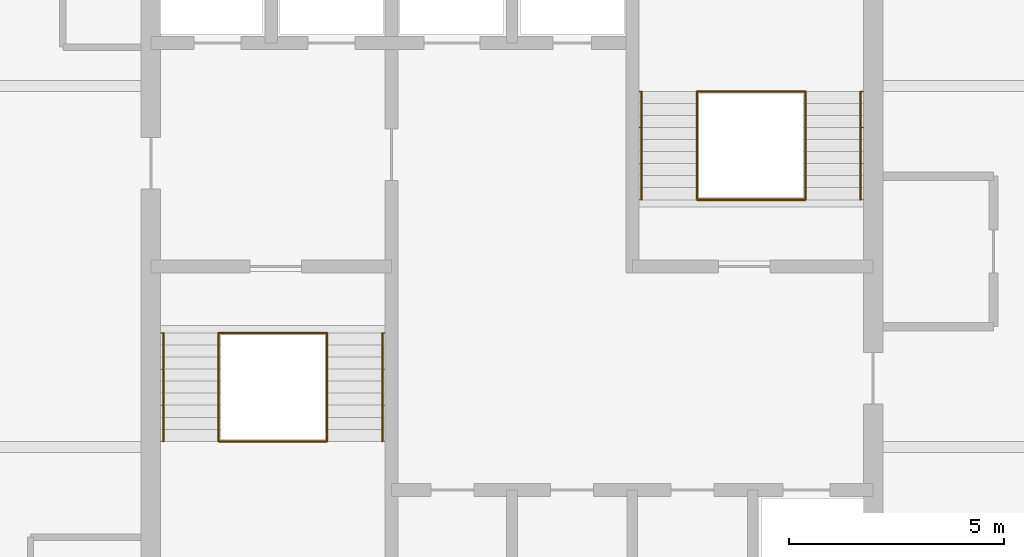
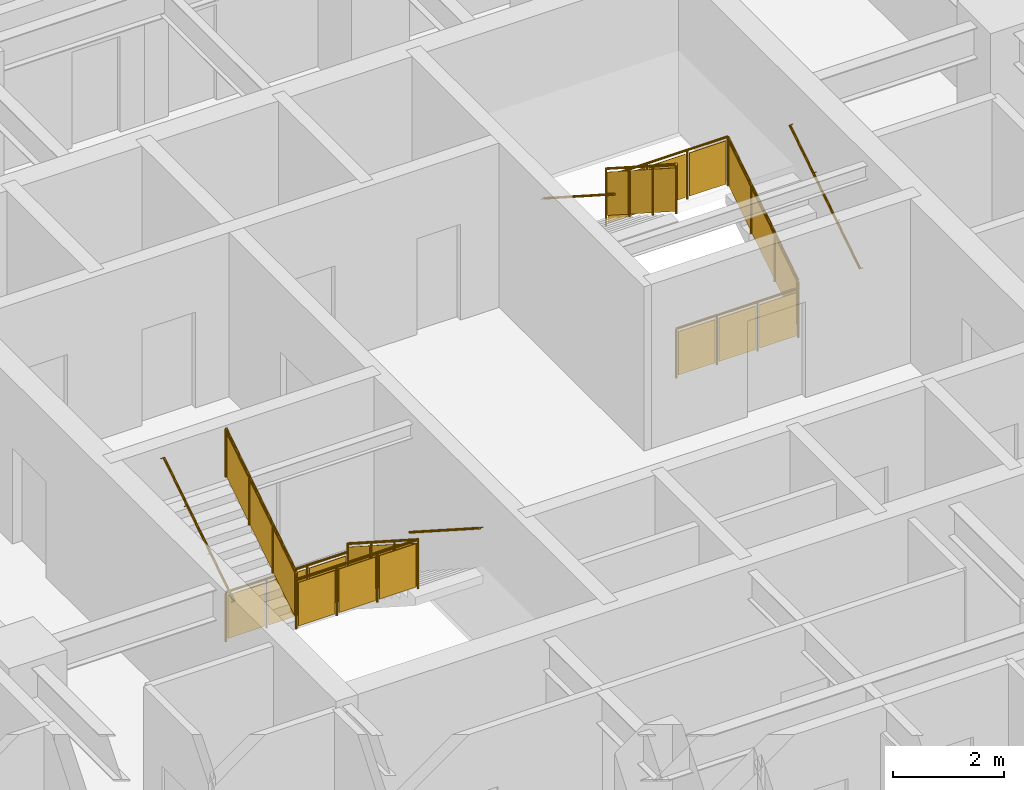
# One storey, part 10 of 10: 12 railings.
"""IFC4 building model written with IfcOpenShell, lengths in metres."""

from ifc_helpers import new_model, si_unit, direction, frame, origin, origin_2d, place, context, subcontext, project, spatial, polyline, circle, outline, extrude, material, type_object, element, save


model = new_model("IFC4")

# Units and contexts
model_context = context("Model", 3, precision=1e-05, world=origin(), true_north=direction((0.0, 1.0)))
body_context = subcontext(model_context, "Body", "Model", "MODEL_VIEW")
ifc_project = project(units=[si_unit("LENGTHUNIT", "METRE"), si_unit("AREAUNIT", "SQUARE_METRE"), si_unit("VOLUMEUNIT", "CUBIC_METRE"), si_unit("PLANEANGLEUNIT", "RADIAN"), si_unit("MASSUNIT", "GRAM", prefix="KILO")], contexts=[model_context])

# Site, building, storey
site_placement = place(None, origin())
site = spatial("IfcSite", under=ifc_project, at=site_placement, CompositionType="ELEMENT")
building_placement = place(site_placement, origin())
building = spatial("IfcBuilding", under=site, at=building_placement, Name="Torre Alcanfor", CompositionType="ELEMENT")
storey_placement = place(building_placement, frame((0.0, 0.0, 282.89990234375)))
storey = spatial("IfcBuildingStorey", under=building, at=storey_placement, Name="L74", CompositionType="ELEMENT", Elevation=282.89990234375)

# Railings
ifc_material_1 = material(Name="Steel ASTM A500 Grade C hollow sections", Category="steel")
railing_type_1 = type_object("IfcRailingType", Name="Stair guard and handrail 1100", PredefinedType="GUARDRAIL", material=ifc_material_1)
railing_1_placement = place(storey_placement, frame((25.10009765625, 27.85009765625, 0.18017578125)))
element("IfcRailing", 1, at=railing_1_placement, inside=storey, type_object=railing_type_1, Name="Stair guard S1 L74 flight 1", PredefinedType="GUARDRAIL", context=body_context, shape_type="SweptSolid", body=[
    extrude(circle(Radius=0.02392578125, at=origin_2d()), frame((0.0, 0.0, 1.076171875), z_axis=(0.0, -0.841199657755, 0.540724639528), x_axis=(1.0, 0.0, 0.0)), (0.0, 0.0, 1.0), 2.995849609375),
    extrude(circle(Radius=0.02099609375, at=origin_2d()), origin(), (0.0, 0.0, 1.0), 1.052001953125),
    extrude(circle(Radius=0.02099609375, at=origin_2d()), frame((0.0, -0.840087890625, 0.5400390625)), (0.0, 0.0, 1.0), 1.052001953125),
    extrude(circle(Radius=0.02099609375, at=origin_2d()), frame((0.0, -1.679931640625, 1.079833984375)), (0.0, 0.0, 1.0), 1.052001953125),
    extrude(circle(Radius=0.02099609375, at=origin_2d()), frame((0.0, -2.52001953125, 1.619873046875)), (0.0, 0.0, 1.0), 1.052001953125),
    extrude(outline(polyline([(0.041015625, 0.076416015625), (0.799072265625, 0.563720703125), (0.799072265625, 1.515625), (0.041015625, 1.0283203125), (0.041015625, 0.076416015625)])), frame((0.005859375, 0.0, 0.0), z_axis=(-1.0, 0.0, 0.0), x_axis=(0.0, -1.0, 0.0)), (0.0, 0.0, 1.0), 0.011962890625),
    extrude(outline(polyline([(0.881103515625, 0.6162109375), (1.638916015625, 1.103515625), (1.638916015625, 2.0556640625), (0.881103515625, 1.568359375), (0.881103515625, 0.6162109375)])), frame((0.005859375, 0.0, 0.0), z_axis=(-1.0, 0.0, 0.0), x_axis=(0.0, -1.0, 0.0)), (0.0, 0.0, 1.0), 0.011962890625),
    extrude(outline(polyline([(1.720947265625, 1.15625), (2.47900390625, 1.6435546875), (2.47900390625, 2.595458984375), (1.720947265625, 2.108154296875), (1.720947265625, 1.15625)])), frame((0.005859375, 0.0, 0.0), z_axis=(-1.0, 0.0, 0.0), x_axis=(0.0, -1.0, 0.0)), (0.0, 0.0, 1.0), 0.011962890625),
])
railing_2_placement = place(storey_placement, frame((22.574951171875, 25.330078125, 1.97998046875)))
element("IfcRailing", 2, at=railing_2_placement, inside=storey, type_object=railing_type_1, Name="Stair guard S1 L74 flight 2", PredefinedType="GUARDRAIL", context=body_context, shape_type="SweptSolid", body=[
    extrude(circle(Radius=0.02392578125, at=origin_2d()), frame((0.0, 0.0, 1.076171875), z_axis=(0.0, 0.841162588446, 0.540782303519), x_axis=(-1.0, 0.0, 0.0)), (0.0, 0.0, 1.0), 2.995849609375),
    extrude(circle(Radius=0.02099609375, at=origin_2d()), origin(), (0.0, 0.0, 1.0), 1.052001953125),
    extrude(circle(Radius=0.02099609375, at=origin_2d()), frame((0.0, 0.840087890625, 0.5400390625)), (0.0, 0.0, 1.0), 1.052001953125),
    extrude(circle(Radius=0.02099609375, at=origin_2d()), frame((0.0, 1.679931640625, 1.080078125)), (0.0, 0.0, 1.0), 1.052001953125),
    extrude(circle(Radius=0.02099609375, at=origin_2d()), frame((0.0, 2.52001953125, 1.6201171875)), (0.0, 0.0, 1.0), 1.052001953125),
    extrude(outline(polyline([(0.041015625, 0.076416015625), (0.799072265625, 0.563720703125), (0.799072265625, 1.515625), (0.041015625, 1.0283203125), (0.041015625, 0.076416015625)])), frame((-0.005859375, 0.0, 0.0), z_axis=(1.0, 0.0, 0.0), x_axis=(0.0, 1.0, 0.0)), (0.0, 0.0, 1.0), 0.011962890625),
    extrude(outline(polyline([(0.881103515625, 0.616455078125), (1.638916015625, 1.103759765625), (1.638916015625, 2.0556640625), (0.881103515625, 1.568359375), (0.881103515625, 0.616455078125)])), frame((-0.005859375, 0.0, 0.0), z_axis=(1.0, 0.0, 0.0), x_axis=(0.0, 1.0, 0.0)), (0.0, 0.0, 1.0), 0.011962890625),
    extrude(outline(polyline([(1.720947265625, 1.156494140625), (2.47900390625, 1.643798828125), (2.47900390625, 2.595703125), (1.720947265625, 2.1083984375), (1.720947265625, 1.156494140625)])), frame((-0.005859375, 0.0, 0.0), z_axis=(1.0, 0.0, 0.0), x_axis=(0.0, 1.0, 0.0)), (0.0, 0.0, 1.0), 0.011962890625),
])
for number, where, name in (
    (3, (22.574951171875, 27.85009765625, 0.0), "Stair well guard S1 L74 floor landing"),
    (4, (22.574951171875, 25.330078125, 1.800048828125), "Stair well guard S1 L74 half landing"),
):
    element("IfcRailing", number, at=place(storey_placement, frame(where)), inside=storey, type_object=railing_type_1, Name=name, PredefinedType="GUARDRAIL", context=body_context, shape_type="SweptSolid", body=[
        extrude(circle(Radius=0.02392578125, at=origin_2d()), frame((0.0, 0.0, 1.076171875), z_axis=(1.0, 0.0, 0.0), x_axis=(0.0, 1.0, 0.0)), (0.0, 0.0, 1.0), 2.525146484375),
        extrude(circle(Radius=0.02099609375, at=origin_2d()), origin(), (0.0, 0.0, 1.0), 1.052001953125),
        extrude(circle(Radius=0.02099609375, at=origin_2d()), frame((0.841796875, 0.0, 0.0)), (0.0, 0.0, 1.0), 1.052001953125),
        extrude(circle(Radius=0.02099609375, at=origin_2d()), frame((1.683349609375, 0.0, 0.0)), (0.0, 0.0, 1.0), 1.052001953125),
        extrude(circle(Radius=0.02099609375, at=origin_2d()), frame((2.525146484375, 0.0, 0.0)), (0.0, 0.0, 1.0), 1.052001953125),
        extrude(outline(polyline([(0.041015625, 0.050048828125), (0.80078125, 0.050048828125), (0.80078125, 1.001953125), (0.041015625, 1.001953125), (0.041015625, 0.050048828125)])), frame((0.0, 0.005859375, 0.0), z_axis=(0.0, -1.0, 0.0), x_axis=(1.0, 0.0, 0.0)), (0.0, 0.0, 1.0), 0.011962890625),
        extrude(outline(polyline([(0.8828125, 0.050048828125), (1.642333984375, 0.050048828125), (1.642333984375, 1.001953125), (0.8828125, 1.001953125), (0.8828125, 0.050048828125)])), frame((0.0, 0.005859375, 0.0), z_axis=(0.0, -1.0, 0.0), x_axis=(1.0, 0.0, 0.0)), (0.0, 0.0, 1.0), 0.011962890625),
        extrude(outline(polyline([(1.724365234375, 0.050048828125), (2.484130859375, 0.050048828125), (2.484130859375, 1.001953125), (1.724365234375, 1.001953125), (1.724365234375, 0.050048828125)])), frame((0.0, 0.005859375, 0.0), z_axis=(0.0, -1.0, 0.0), x_axis=(1.0, 0.0, 0.0)), (0.0, 0.0, 1.0), 0.011962890625),
    ])
railing_3_placement = place(storey_placement, frame((36.22509765625, 30.949951171875, 0.18017578125)))
element("IfcRailing", 5, at=railing_3_placement, inside=storey, type_object=railing_type_1, Name="Stair guard S2 L74 flight 1", PredefinedType="GUARDRAIL", context=body_context, shape_type="SweptSolid", body=[
    extrude(circle(Radius=0.02392578125, at=origin_2d()), frame((0.0, 0.0, 1.076171875), z_axis=(0.0, 0.841199657755, 0.540724639528), x_axis=(-1.0, 0.0, 0.0)), (0.0, 0.0, 1.0), 2.995849609375),
    extrude(circle(Radius=0.02099609375, at=origin_2d()), origin(), (0.0, 0.0, 1.0), 1.052001953125),
    extrude(circle(Radius=0.02099609375, at=origin_2d()), frame((0.0, 0.840087890625, 0.5400390625)), (0.0, 0.0, 1.0), 1.052001953125),
    extrude(circle(Radius=0.02099609375, at=origin_2d()), frame((0.0, 1.679931640625, 1.079833984375)), (0.0, 0.0, 1.0), 1.052001953125),
    extrude(circle(Radius=0.02099609375, at=origin_2d()), frame((0.0, 2.52001953125, 1.619873046875)), (0.0, 0.0, 1.0), 1.052001953125),
    extrude(outline(polyline([(0.041015625, 0.076416015625), (0.799072265625, 0.563720703125), (0.799072265625, 1.515625), (0.041015625, 1.0283203125), (0.041015625, 0.076416015625)])), frame((-0.005859375, 0.0, 0.0), z_axis=(1.0, 0.0, 0.0), x_axis=(0.0, 1.0, 0.0)), (0.0, 0.0, 1.0), 0.011962890625),
    extrude(outline(polyline([(0.881103515625, 0.6162109375), (1.638916015625, 1.103515625), (1.638916015625, 2.0556640625), (0.881103515625, 1.568359375), (0.881103515625, 0.6162109375)])), frame((-0.005859375, 0.0, 0.0), z_axis=(1.0, 0.0, 0.0), x_axis=(0.0, 1.0, 0.0)), (0.0, 0.0, 1.0), 0.011962890625),
    extrude(outline(polyline([(1.720947265625, 1.15625), (2.47900390625, 1.6435546875), (2.47900390625, 2.595458984375), (1.720947265625, 2.108154296875), (1.720947265625, 1.15625)])), frame((-0.005859375, 0.0, 0.0), z_axis=(1.0, 0.0, 0.0), x_axis=(0.0, 1.0, 0.0)), (0.0, 0.0, 1.0), 0.011962890625),
])
railing_4_placement = place(storey_placement, frame((33.699951171875, 33.469970703125, 1.97998046875)))
element("IfcRailing", 6, at=railing_4_placement, inside=storey, type_object=railing_type_1, Name="Stair guard S2 L74 flight 2", PredefinedType="GUARDRAIL", context=body_context, shape_type="SweptSolid", body=[
    extrude(circle(Radius=0.02392578125, at=origin_2d()), frame((0.0, 0.0, 1.076171875), z_axis=(0.0, -0.841162588446, 0.540782303519), x_axis=(1.0, 0.0, 0.0)), (0.0, 0.0, 1.0), 2.995849609375),
    extrude(circle(Radius=0.02099609375, at=origin_2d()), origin(), (0.0, 0.0, 1.0), 1.052001953125),
    extrude(circle(Radius=0.02099609375, at=origin_2d()), frame((0.0, -0.840087890625, 0.5400390625)), (0.0, 0.0, 1.0), 1.052001953125),
    extrude(circle(Radius=0.02099609375, at=origin_2d()), frame((0.0, -1.679931640625, 1.080078125)), (0.0, 0.0, 1.0), 1.052001953125),
    extrude(circle(Radius=0.02099609375, at=origin_2d()), frame((0.0, -2.52001953125, 1.6201171875)), (0.0, 0.0, 1.0), 1.052001953125),
    extrude(outline(polyline([(0.041015625, 0.076416015625), (0.799072265625, 0.563720703125), (0.799072265625, 1.515625), (0.041015625, 1.0283203125), (0.041015625, 0.076416015625)])), frame((0.005859375, 0.0, 0.0), z_axis=(-1.0, 0.0, 0.0), x_axis=(0.0, -1.0, 0.0)), (0.0, 0.0, 1.0), 0.011962890625),
    extrude(outline(polyline([(0.881103515625, 0.616455078125), (1.638916015625, 1.103759765625), (1.638916015625, 2.0556640625), (0.881103515625, 1.568359375), (0.881103515625, 0.616455078125)])), frame((0.005859375, 0.0, 0.0), z_axis=(-1.0, 0.0, 0.0), x_axis=(0.0, -1.0, 0.0)), (0.0, 0.0, 1.0), 0.011962890625),
    extrude(outline(polyline([(1.720947265625, 1.156494140625), (2.47900390625, 1.643798828125), (2.47900390625, 2.595703125), (1.720947265625, 2.1083984375), (1.720947265625, 1.156494140625)])), frame((0.005859375, 0.0, 0.0), z_axis=(-1.0, 0.0, 0.0), x_axis=(0.0, -1.0, 0.0)), (0.0, 0.0, 1.0), 0.011962890625),
])
for number, where, name in (
    (7, (33.699951171875, 30.949951171875, 0.0), "Stair well guard S2 L74 floor landing"),
    (8, (33.699951171875, 33.469970703125, 1.800048828125), "Stair well guard S2 L74 half landing"),
):
    element("IfcRailing", number, at=place(storey_placement, frame(where)), inside=storey, type_object=railing_type_1, Name=name, PredefinedType="GUARDRAIL", context=body_context, shape_type="SweptSolid", body=[
        extrude(circle(Radius=0.02392578125, at=origin_2d()), frame((0.0, 0.0, 1.076171875), z_axis=(1.0, 0.0, 0.0), x_axis=(0.0, 1.0, 0.0)), (0.0, 0.0, 1.0), 2.525146484375),
        extrude(circle(Radius=0.02099609375, at=origin_2d()), origin(), (0.0, 0.0, 1.0), 1.052001953125),
        extrude(circle(Radius=0.02099609375, at=origin_2d()), frame((0.841796875, 0.0, 0.0)), (0.0, 0.0, 1.0), 1.052001953125),
        extrude(circle(Radius=0.02099609375, at=origin_2d()), frame((1.683349609375, 0.0, 0.0)), (0.0, 0.0, 1.0), 1.052001953125),
        extrude(circle(Radius=0.02099609375, at=origin_2d()), frame((2.525146484375, 0.0, 0.0)), (0.0, 0.0, 1.0), 1.052001953125),
        extrude(outline(polyline([(0.041015625, 0.050048828125), (0.80078125, 0.050048828125), (0.80078125, 1.001953125), (0.041015625, 1.001953125), (0.041015625, 0.050048828125)])), frame((0.0, 0.005859375, 0.0), z_axis=(0.0, -1.0, 0.0), x_axis=(1.0, 0.0, 0.0)), (0.0, 0.0, 1.0), 0.011962890625),
        extrude(outline(polyline([(0.8828125, 0.050048828125), (1.642333984375, 0.050048828125), (1.642333984375, 1.001953125), (0.8828125, 1.001953125), (0.8828125, 0.050048828125)])), frame((0.0, 0.005859375, 0.0), z_axis=(0.0, -1.0, 0.0), x_axis=(1.0, 0.0, 0.0)), (0.0, 0.0, 1.0), 0.011962890625),
        extrude(outline(polyline([(1.724365234375, 0.050048828125), (2.484130859375, 0.050048828125), (2.484130859375, 1.001953125), (1.724365234375, 1.001953125), (1.724365234375, 0.050048828125)])), frame((0.0, 0.005859375, 0.0), z_axis=(0.0, -1.0, 0.0), x_axis=(1.0, 0.0, 0.0)), (0.0, 0.0, 1.0), 0.011962890625),
    ])
ifc_material_2 = material(Name="Steel ASTM A500 Grade C hollow sections", Category="steel")
railing_type_2 = type_object("IfcRailingType", Name="Stair wall handrail 900", PredefinedType="HANDRAIL", material=ifc_material_2)
railing_5_placement = place(storey_placement, frame((26.385009765625, 27.85009765625, 0.18017578125)))
element("IfcRailing", 9, at=railing_5_placement, inside=storey, type_object=railing_type_2, Name="Stair handrail S1 L74 flight 1", PredefinedType="HANDRAIL", context=body_context, shape_type="SweptSolid", body=[
    extrude(circle(Radius=0.02392578125, at=origin_2d()), frame((0.0, 0.0, 0.8759765625), z_axis=(0.0, -0.841199657755, 0.540724639528), x_axis=(1.0, 0.0, 0.0)), (0.0, 0.0, 1.0), 2.995849609375),
    extrude(circle(Radius=0.008056640625, at=origin_2d()), frame((0.0, 0.0, 0.8759765625), z_axis=(1.0, 0.0, 0.0), x_axis=(0.0, 0.0, 1.0)), (0.0, 0.0, 1.0), 0.06494140625),
    extrude(circle(Radius=0.008056640625, at=origin_2d()), frame((0.0, -0.840087890625, 1.415771484375), z_axis=(1.0, 0.0, 0.0), x_axis=(0.0, 0.0, 1.0)), (0.0, 0.0, 1.0), 0.06494140625),
    extrude(circle(Radius=0.008056640625, at=origin_2d()), frame((0.0, -1.679931640625, 1.955810546875), z_axis=(1.0, 0.0, 0.0), x_axis=(0.0, 0.0, 1.0)), (0.0, 0.0, 1.0), 0.06494140625),
    extrude(circle(Radius=0.008056640625, at=origin_2d()), frame((0.0, -2.52001953125, 2.49560546875), z_axis=(1.0, 0.0, 0.0), x_axis=(0.0, 0.0, 1.0)), (0.0, 0.0, 1.0), 0.06494140625),
])
railing_6_placement = place(storey_placement, frame((21.2900390625, 25.330078125, 1.97998046875)))
element("IfcRailing", 10, at=railing_6_placement, inside=storey, type_object=railing_type_2, Name="Stair handrail S1 L74 flight 2", PredefinedType="HANDRAIL", context=body_context, shape_type="SweptSolid", body=[
    extrude(circle(Radius=0.02392578125, at=origin_2d()), frame((0.0, 0.0, 0.8759765625), z_axis=(0.0, 0.841162588446, 0.540782303519), x_axis=(-1.0, 0.0, 0.0)), (0.0, 0.0, 1.0), 2.995849609375),
    extrude(circle(Radius=0.008056640625, at=origin_2d()), frame((0.0, 0.0, 0.8759765625), z_axis=(-1.0, 0.0, 0.0), x_axis=(0.0, 0.0, 1.0)), (0.0, 0.0, 1.0), 0.06494140625),
    extrude(circle(Radius=0.008056640625, at=origin_2d()), frame((0.0, 0.840087890625, 1.416015625), z_axis=(-1.0, 0.0, 0.0), x_axis=(0.0, 0.0, 1.0)), (0.0, 0.0, 1.0), 0.06494140625),
    extrude(circle(Radius=0.008056640625, at=origin_2d()), frame((0.0, 1.679931640625, 1.9560546875), z_axis=(-1.0, 0.0, 0.0), x_axis=(0.0, 0.0, 1.0)), (0.0, 0.0, 1.0), 0.06494140625),
    extrude(circle(Radius=0.008056640625, at=origin_2d()), frame((0.0, 2.52001953125, 2.49609375), z_axis=(-1.0, 0.0, 0.0), x_axis=(0.0, 0.0, 1.0)), (0.0, 0.0, 1.0), 0.06494140625),
])
railing_7_placement = place(storey_placement, frame((37.510009765625, 30.949951171875, 0.18017578125)))
element("IfcRailing", 11, at=railing_7_placement, inside=storey, type_object=railing_type_2, Name="Stair handrail S2 L74 flight 1", PredefinedType="HANDRAIL", context=body_context, shape_type="SweptSolid", body=[
    extrude(circle(Radius=0.02392578125, at=origin_2d()), frame((0.0, 0.0, 0.8759765625), z_axis=(0.0, 0.841199657755, 0.540724639528), x_axis=(-1.0, 0.0, 0.0)), (0.0, 0.0, 1.0), 2.995849609375),
    extrude(circle(Radius=0.008056640625, at=origin_2d()), frame((0.0, 0.0, 0.8759765625), z_axis=(1.0, 0.0, 0.0), x_axis=(0.0, 0.0, 1.0)), (0.0, 0.0, 1.0), 0.06494140625),
    extrude(circle(Radius=0.008056640625, at=origin_2d()), frame((0.0, 0.840087890625, 1.415771484375), z_axis=(1.0, 0.0, 0.0), x_axis=(0.0, 0.0, 1.0)), (0.0, 0.0, 1.0), 0.06494140625),
    extrude(circle(Radius=0.008056640625, at=origin_2d()), frame((0.0, 1.679931640625, 1.955810546875), z_axis=(1.0, 0.0, 0.0), x_axis=(0.0, 0.0, 1.0)), (0.0, 0.0, 1.0), 0.06494140625),
    extrude(circle(Radius=0.008056640625, at=origin_2d()), frame((0.0, 2.52001953125, 2.49560546875), z_axis=(1.0, 0.0, 0.0), x_axis=(0.0, 0.0, 1.0)), (0.0, 0.0, 1.0), 0.06494140625),
])
railing_8_placement = place(storey_placement, frame((32.4150390625, 33.469970703125, 1.97998046875)))
element("IfcRailing", 12, at=railing_8_placement, inside=storey, type_object=railing_type_2, Name="Stair handrail S2 L74 flight 2", PredefinedType="HANDRAIL", context=body_context, shape_type="SweptSolid", body=[
    extrude(circle(Radius=0.02392578125, at=origin_2d()), frame((0.0, 0.0, 0.8759765625), z_axis=(0.0, -0.841162588446, 0.540782303519), x_axis=(1.0, 0.0, 0.0)), (0.0, 0.0, 1.0), 2.995849609375),
    extrude(circle(Radius=0.008056640625, at=origin_2d()), frame((0.0, 0.0, 0.8759765625), z_axis=(-1.0, 0.0, 0.0), x_axis=(0.0, 0.0, 1.0)), (0.0, 0.0, 1.0), 0.06494140625),
    extrude(circle(Radius=0.008056640625, at=origin_2d()), frame((0.0, -0.840087890625, 1.416015625), z_axis=(-1.0, 0.0, 0.0), x_axis=(0.0, 0.0, 1.0)), (0.0, 0.0, 1.0), 0.06494140625),
    extrude(circle(Radius=0.008056640625, at=origin_2d()), frame((0.0, -1.679931640625, 1.9560546875), z_axis=(-1.0, 0.0, 0.0), x_axis=(0.0, 0.0, 1.0)), (0.0, 0.0, 1.0), 0.06494140625),
    extrude(circle(Radius=0.008056640625, at=origin_2d()), frame((0.0, -2.52001953125, 2.49609375), z_axis=(-1.0, 0.0, 0.0), x_axis=(0.0, 0.0, 1.0)), (0.0, 0.0, 1.0), 0.06494140625),
])

save(model, "model.ifc")
